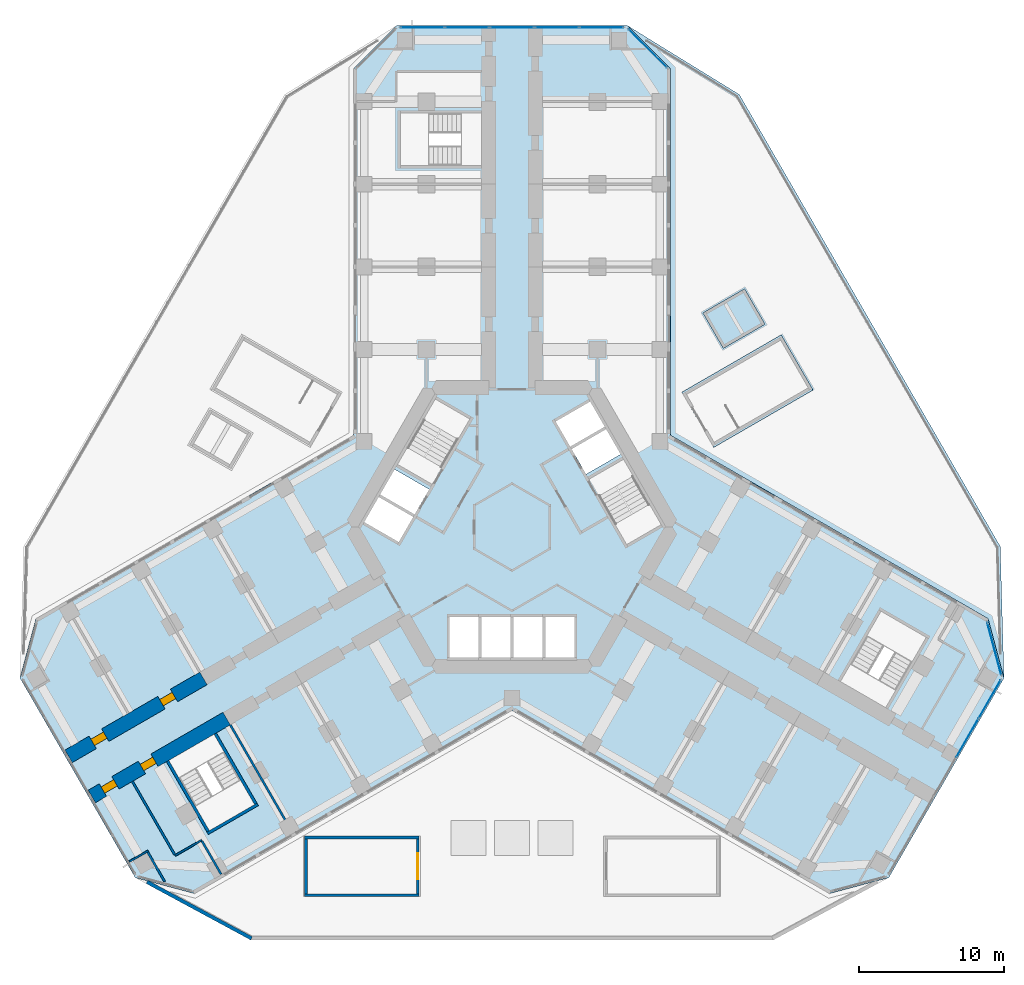
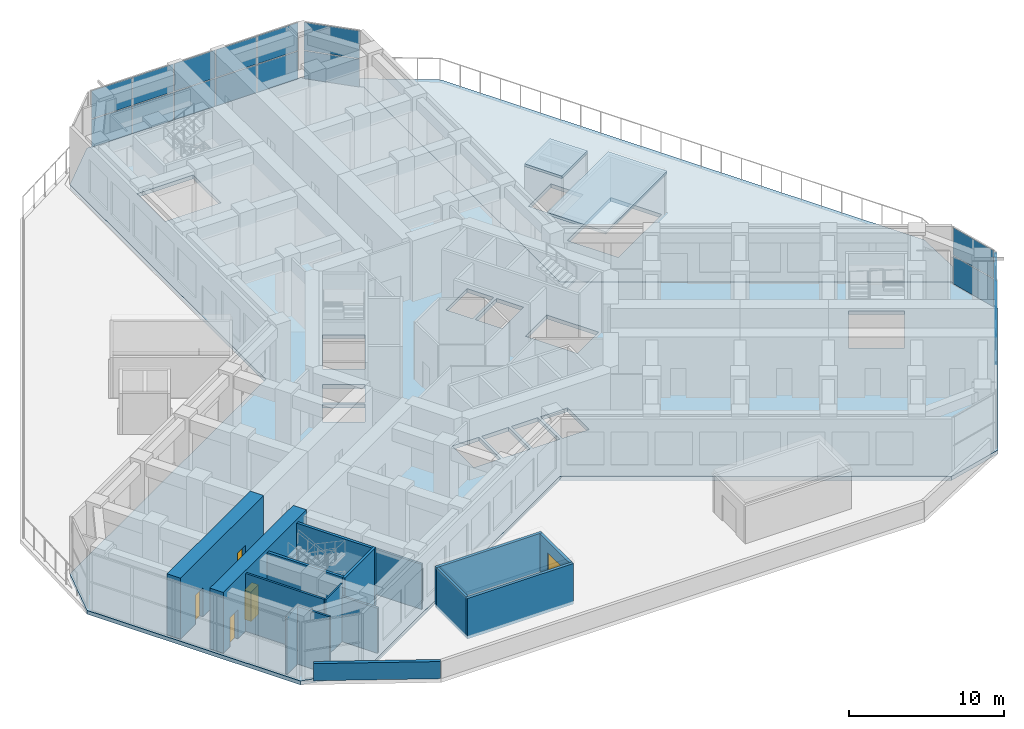
# One storey, part 9 of 18: 18 plates, 16 walls, 5 doors, 4 slabs, 5 openings, 4 elements without a shape of their own.
"""IFC4 building model written with IfcOpenShell, lengths in metres."""

from ifc_helpers import new_model, si_unit, direction, frame, frame_2d, origin, origin_2d, place, context, subcontext, project, spatial, polyline, rectangle, outline, extrude, material, layer, layer_set, type_object, element, fill, aggregate, save


model = new_model("IFC4")

# Units and contexts
model_context = context("Model", 3, precision=1e-05, world=origin(), true_north=direction((0.0, 1.0)))
body_context = subcontext(model_context, "Body", "Model", "MODEL_VIEW")
ifc_project = project(units=[si_unit("LENGTHUNIT", "METRE"), si_unit("AREAUNIT", "SQUARE_METRE"), si_unit("VOLUMEUNIT", "CUBIC_METRE"), si_unit("PLANEANGLEUNIT", "RADIAN"), si_unit("MASSUNIT", "GRAM", prefix="KILO")], contexts=[model_context])

# Site, building, storey
site_placement = place(None, origin())
site = spatial("IfcSite", under=ifc_project, at=site_placement, CompositionType="ELEMENT")
building_placement = place(site_placement, origin())
building = spatial("IfcBuilding", under=site, at=building_placement, Name="Kosmar Iwan School Tower", CompositionType="ELEMENT")
storey_placement = place(building_placement, frame((0.0, 0.0, 20.39990234375)))
storey = spatial("IfcBuildingStorey", under=building, at=storey_placement, Name="L04", CompositionType="ELEMENT", Elevation=20.39990234375)

# Curtain wall, plates
ifc_material_1 = material(Name="Dark glass in black aluminium frame", Category="aluminium")
curtain_wall_type_1 = type_object("IfcCurtainWallType", Name="Tower curtain wall dark glass", PredefinedType="USERDEFINED", material=ifc_material_1)
curtain_wall_1_placement = place(storey_placement, origin())
curtain_wall_1 = element("IfcCurtainWall", 1, at=curtain_wall_1_placement, inside=storey, type_object=curtain_wall_type_1, Name="Curtain wall L04-F03", ObjectType="UNITISED CURTAIN WALL", PredefinedType="USERDEFINED")
ifc_material_2 = material(Name="Dark glass", Category="glass")
ifc_layer_1 = layer(ifc_material_2, 0.028076171875)
ifc_layer_set_1 = layer_set([ifc_layer_1], Name="Dark glass panel 28")
plate_type = type_object("IfcPlateType", Name="Dark glass panel 28", PredefinedType="CURTAIN_PANEL", material=ifc_layer_set_1)
plate_1_placement = place(storey_placement, frame((31.40576171875, -14.553466796875, 0.06005859375), z_axis=(0.0, 0.0, 1.0), x_axis=(0.499999997325, 0.866025405329, 0.0)))
plate_1 = element("IfcPlate", 2, at=plate_1_placement, type_object=plate_type, Name="CW1 panel 4.1", PredefinedType="CURTAIN_PANEL", context=body_context, shape_type="SweptSolid", body=[
    extrude(rectangle(XDim=3.0341796875, YDim=0.028076171875, at=origin_2d()), origin(), (0.0, 0.0, 1.0), 2.18505859375),
])
plate_2_placement = place(storey_placement, frame((31.40576171875, -14.553466796875, 2.30517578125), z_axis=(0.0, 0.0, 1.0), x_axis=(0.499999997325, 0.866025405329, 0.0)))
plate_2 = element("IfcPlate", 3, at=plate_2_placement, type_object=plate_type, Name="CW1 panel 4.2", PredefinedType="CURTAIN_PANEL", context=body_context, shape_type="SweptSolid", body=[
    extrude(rectangle(XDim=3.0341796875, YDim=0.028076171875, at=origin_2d()), origin(), (0.0, 0.0, 1.0), 2.18505859375),
])
plate_3_placement = place(storey_placement, frame((32.947509765625, -11.883544921875, 0.06005859375), z_axis=(0.0, 0.0, 1.0), x_axis=(0.499999997325, 0.866025405329, 0.0)))
plate_3 = element("IfcPlate", 4, at=plate_3_placement, type_object=plate_type, Name="CW1 panel 5.1", PredefinedType="CURTAIN_PANEL", context=body_context, shape_type="SweptSolid", body=[
    extrude(rectangle(XDim=3.001708984375, YDim=0.028076171875, at=origin_2d()), origin(), (0.0, 0.0, 1.0), 2.18505859375),
])
plate_4_placement = place(storey_placement, frame((32.947509765625, -11.883544921875, 2.30517578125), z_axis=(0.0, 0.0, 1.0), x_axis=(0.499999997325, 0.866025405329, 0.0)))
plate_4 = element("IfcPlate", 5, at=plate_4_placement, type_object=plate_type, Name="CW1 panel 5.2", PredefinedType="CURTAIN_PANEL", context=body_context, shape_type="SweptSolid", body=[
    extrude(rectangle(XDim=3.001708984375, YDim=0.028076171875, at=origin_2d()), origin(), (0.0, 0.0, 1.0), 2.18505859375),
])
aggregate(curtain_wall_1, [plate_1, plate_2, plate_3, plate_4])

ifc_material_3 = material(Name="Dark glass in black aluminium frame", Category="aluminium")
curtain_wall_type_2 = type_object("IfcCurtainWallType", Name="Chamfer curtain wall dark glass", PredefinedType="USERDEFINED", material=ifc_material_3)
curtain_wall_2_placement = place(storey_placement, origin())
curtain_wall_2 = element("IfcCurtainWall", 6, at=curtain_wall_2_placement, inside=storey, type_object=curtain_wall_type_2, Name="Curtain wall L04-F04", ObjectType="FACETED CURTAIN WALL", PredefinedType="USERDEFINED")
plate_5_placement = place(storey_placement, frame((33.269775390625, -8.3984375, 0.06005859375), z_axis=(0.0, 0.0, 1.0), x_axis=(-0.258818861462, 0.965925875495, 0.0)))
plate_5 = element("IfcPlate", 7, at=plate_5_placement, type_object=plate_type, Name="CW2 panel 1.1", PredefinedType="CURTAIN_PANEL", context=body_context, shape_type="SweptSolid", body=[
    extrude(rectangle(XDim=3.708984375, YDim=0.028076171875, at=origin_2d()), origin(), (0.0, 0.0, 1.0), 2.18505859375),
])
plate_6_placement = place(storey_placement, frame((33.269775390625, -8.3984375, 2.30517578125), z_axis=(0.0, 0.0, 1.0), x_axis=(-0.258818861462, 0.965925875495, 0.0)))
plate_6 = element("IfcPlate", 8, at=plate_6_placement, type_object=plate_type, Name="CW2 panel 1.2", PredefinedType="CURTAIN_PANEL", context=body_context, shape_type="SweptSolid", body=[
    extrude(rectangle(XDim=3.708984375, YDim=0.028076171875, at=origin_2d()), origin(), (0.0, 0.0, 1.0), 2.18505859375),
])
aggregate(curtain_wall_2, [plate_5, plate_6])

curtain_wall_3_placement = place(storey_placement, origin())
curtain_wall_3 = element("IfcCurtainWall", 9, at=curtain_wall_3_placement, inside=storey, type_object=curtain_wall_type_2, Name="Curtain wall L04-F07", ObjectType="FACETED CURTAIN WALL", PredefinedType="USERDEFINED")
plate_7_placement = place(storey_placement, frame((9.361572265625, 33.01171875, 0.06005859375), z_axis=(0.0, 0.0, 1.0), x_axis=(-0.707106781187, 0.707106781187, 0.0)))
plate_7 = element("IfcPlate", 10, at=plate_7_placement, type_object=plate_type, Name="CW2 panel 1.1", PredefinedType="CURTAIN_PANEL", context=body_context, shape_type="SweptSolid", body=[
    extrude(rectangle(XDim=3.708984375, YDim=0.028076171875, at=origin_2d()), origin(), (0.0, 0.0, 1.0), 2.18505859375),
])
plate_8_placement = place(storey_placement, frame((9.361572265625, 33.01171875, 2.30517578125), z_axis=(0.0, 0.0, 1.0), x_axis=(-0.707106781187, 0.707106781187, 0.0)))
plate_8 = element("IfcPlate", 11, at=plate_8_placement, type_object=plate_type, Name="CW2 panel 1.2", PredefinedType="CURTAIN_PANEL", context=body_context, shape_type="SweptSolid", body=[
    extrude(rectangle(XDim=3.708984375, YDim=0.028076171875, at=origin_2d()), origin(), (0.0, 0.0, 1.0), 2.18505859375),
])
aggregate(curtain_wall_3, [plate_7, plate_8])

curtain_wall_4_placement = place(storey_placement, origin())
curtain_wall_4 = element("IfcCurtainWall", 12, at=curtain_wall_4_placement, inside=storey, type_object=curtain_wall_type_1, Name="Curtain wall L04-F08", ObjectType="UNITISED CURTAIN WALL", PredefinedType="USERDEFINED")
plate_9_placement = place(storey_placement, frame((6.182373046875, 34.47509765625, 0.06005859375), z_axis=(0.0, 0.0, 1.0), x_axis=(-1.0, 0.0, 0.0)))
plate_9 = element("IfcPlate", 13, at=plate_9_placement, type_object=plate_type, Name="CW1 panel 1.1", PredefinedType="CURTAIN_PANEL", context=body_context, shape_type="SweptSolid", body=[
    extrude(rectangle(XDim=3.001708984375, YDim=0.028076171875, at=origin_2d()), origin(), (0.0, 0.0, 1.0), 2.18505859375),
])
plate_10_placement = place(storey_placement, frame((6.182373046875, 34.47509765625, 2.30517578125), z_axis=(0.0, 0.0, 1.0), x_axis=(-1.0, 0.0, 0.0)))
plate_10 = element("IfcPlate", 14, at=plate_10_placement, type_object=plate_type, Name="CW1 panel 1.2", PredefinedType="CURTAIN_PANEL", context=body_context, shape_type="SweptSolid", body=[
    extrude(rectangle(XDim=3.001708984375, YDim=0.028076171875, at=origin_2d()), origin(), (0.0, 0.0, 1.0), 2.18505859375),
])
plate_11_placement = place(storey_placement, frame((3.099365234375, 34.47509765625, 0.06005859375), z_axis=(0.0, 0.0, 1.0), x_axis=(-1.0, 0.0, 0.0)))
plate_11 = element("IfcPlate", 15, at=plate_11_placement, type_object=plate_type, Name="CW1 panel 2.1", PredefinedType="CURTAIN_PANEL", context=body_context, shape_type="SweptSolid", body=[
    extrude(rectangle(XDim=3.0341796875, YDim=0.028076171875, at=origin_2d()), origin(), (0.0, 0.0, 1.0), 2.18505859375),
])
plate_12_placement = place(storey_placement, frame((3.099365234375, 34.47509765625, 2.30517578125), z_axis=(0.0, 0.0, 1.0), x_axis=(-1.0, 0.0, 0.0)))
plate_12 = element("IfcPlate", 16, at=plate_12_placement, type_object=plate_type, Name="CW1 panel 2.2", PredefinedType="CURTAIN_PANEL", context=body_context, shape_type="SweptSolid", body=[
    extrude(rectangle(XDim=3.0341796875, YDim=0.028076171875, at=origin_2d()), origin(), (0.0, 0.0, 1.0), 2.18505859375),
])
plate_13_placement = place(storey_placement, frame((0.0, 34.47509765625, 0.06005859375), z_axis=(0.0, 0.0, 1.0), x_axis=(-1.0, 0.0, 0.0)))
plate_13 = element("IfcPlate", 17, at=plate_13_placement, type_object=plate_type, Name="CW1 panel 3.1", PredefinedType="CURTAIN_PANEL", context=body_context, shape_type="SweptSolid", body=[
    extrude(rectangle(XDim=3.0341796875, YDim=0.028076171875, at=origin_2d()), origin(), (0.0, 0.0, 1.0), 2.18505859375),
])
plate_14_placement = place(storey_placement, frame((0.0, 34.47509765625, 2.30517578125), z_axis=(0.0, 0.0, 1.0), x_axis=(-1.0, 0.0, 0.0)))
plate_14 = element("IfcPlate", 18, at=plate_14_placement, type_object=plate_type, Name="CW1 panel 3.2", PredefinedType="CURTAIN_PANEL", context=body_context, shape_type="SweptSolid", body=[
    extrude(rectangle(XDim=3.0341796875, YDim=0.028076171875, at=origin_2d()), origin(), (0.0, 0.0, 1.0), 2.18505859375),
])
plate_15_placement = place(storey_placement, frame((-3.099365234375, 34.47509765625, 0.06005859375), z_axis=(0.0, 0.0, 1.0), x_axis=(-1.0, 0.0, 0.0)))
plate_15 = element("IfcPlate", 19, at=plate_15_placement, type_object=plate_type, Name="CW1 panel 4.1", PredefinedType="CURTAIN_PANEL", context=body_context, shape_type="SweptSolid", body=[
    extrude(rectangle(XDim=3.0341796875, YDim=0.028076171875, at=origin_2d()), origin(), (0.0, 0.0, 1.0), 2.18505859375),
])
plate_16_placement = place(storey_placement, frame((-3.099365234375, 34.47509765625, 2.30517578125), z_axis=(0.0, 0.0, 1.0), x_axis=(-1.0, 0.0, 0.0)))
plate_16 = element("IfcPlate", 20, at=plate_16_placement, type_object=plate_type, Name="CW1 panel 4.2", PredefinedType="CURTAIN_PANEL", context=body_context, shape_type="SweptSolid", body=[
    extrude(rectangle(XDim=3.0341796875, YDim=0.028076171875, at=origin_2d()), origin(), (0.0, 0.0, 1.0), 2.18505859375),
])
plate_17_placement = place(storey_placement, frame((-6.182373046875, 34.47509765625, 0.06005859375), z_axis=(0.0, 0.0, 1.0), x_axis=(-1.0, 0.0, 0.0)))
plate_17 = element("IfcPlate", 21, at=plate_17_placement, type_object=plate_type, Name="CW1 panel 5.1", PredefinedType="CURTAIN_PANEL", context=body_context, shape_type="SweptSolid", body=[
    extrude(rectangle(XDim=3.001708984375, YDim=0.028076171875, at=origin_2d()), origin(), (0.0, 0.0, 1.0), 2.18505859375),
])
plate_18_placement = place(storey_placement, frame((-6.182373046875, 34.47509765625, 2.30517578125), z_axis=(0.0, 0.0, 1.0), x_axis=(-1.0, 0.0, 0.0)))
plate_18 = element("IfcPlate", 22, at=plate_18_placement, type_object=plate_type, Name="CW1 panel 5.2", PredefinedType="CURTAIN_PANEL", context=body_context, shape_type="SweptSolid", body=[
    extrude(rectangle(XDim=3.001708984375, YDim=0.028076171875, at=origin_2d()), origin(), (0.0, 0.0, 1.0), 2.18505859375),
])
aggregate(curtain_wall_4, [plate_9, plate_10, plate_11, plate_12, plate_13, plate_14, plate_15, plate_16, plate_17, plate_18])

# Slabs
ifc_material_4 = material(Name="Concrete C35/45", Category="concrete")
ifc_layer_2 = layer(ifc_material_4, 0.199951171875)
ifc_layer_set_2 = layer_set([ifc_layer_2], Name="Lift shaft cap slab 200")
slab_type_1 = type_object("IfcSlabType", Name="Lift shaft cap slab 200", PredefinedType="ROOF", material=ifc_layer_set_2)
slab_1_placement = place(storey_placement, frame((0.0, 0.0, 3.2001953125)))
element("IfcSlab", 23, at=slab_1_placement, inside=storey, type_object=slab_type_1, Name="School stair SS3 roof", PredefinedType="ROOF", context=body_context, shape_type="SweptSolid", body=[
    extrude(outline(polyline([(13.917236328125, 5.49462890625), (20.7587890625, 9.44482421875), (18.558837890625, 13.25537109375), (11.71728515625, 9.30517578125), (13.917236328125, 5.49462890625)])), origin(), (0.0, 0.0, 1.0), 0.199951171875),
])
slab_2_placement = place(storey_placement, frame((0.0, 0.0, 3.2001953125)))
element("IfcSlab", 24, at=slab_2_placement, inside=storey, type_object=slab_type_1, Name="School lift SL1 shaft roof", PredefinedType="ROOF", context=body_context, shape_type="SweptSolid", body=[
    extrude(outline(polyline([(14.581298828125, 12.344482421875), (17.439208984375, 13.994384765625), (16.0390625, 16.41943359375), (13.181396484375, 14.769287109375), (14.581298828125, 12.344482421875)])), origin(), (0.0, 0.0, 1.0), 0.199951171875),
])
ifc_material_5 = material(Name="Concrete C35/45", Category="concrete")
ifc_layer_3 = layer(ifc_material_5, 0.300048828125)
ifc_layer_set_3 = layer_set([ifc_layer_3], Name="Play deck slab 300")
slab_type_2 = type_object("IfcSlabType", Name="Play deck slab 300", PredefinedType="FLOOR", material=ifc_layer_set_3)
slab_3_placement = place(storey_placement, frame((0.0, 0.0, -0.2998046875)))
element("IfcSlab", 25, at=slab_3_placement, inside=storey, type_object=slab_type_2, Name="Play deck AC", PredefinedType="FLOOR", context=body_context, shape_type="SweptSolid", body=[
    extrude(outline(polyline([(33.939453125, -10.4150390625), (33.681640625, -1.33837890625), (15.681640625, 29.83837890625), (7.949951171875, 34.60009765625), (10.949951171875, 31.60009765625), (10.949951171875, 6.322021484375), (32.84130859375, -6.317138671875), (33.939453125, -10.4150390625)]), holes=[polyline([(15.603271484375, 6.814453125), (20.435546875, 9.6044921875), (18.53564453125, 12.8955078125), (13.703125, 10.10546875), (15.603271484375, 6.814453125)]), polyline([(14.654541015625, 12.61767578125), (17.166015625, 14.067626953125), (15.966064453125, 16.146240234375), (13.45458984375, 14.696044921875), (14.654541015625, 12.61767578125)])]), origin(), (0.0, 0.0, 1.0), 0.2998046875),
])
ifc_material_6 = material(Name="Concrete C35/45", Category="concrete")
ifc_layer_4 = layer(ifc_material_6, 0.300048828125)
ifc_layer_set_4 = layer_set([ifc_layer_4], Name="School floor slab 300")
slab_type_3 = type_object("IfcSlabType", Name="School floor slab 300", PredefinedType="FLOOR", material=ifc_layer_set_4)
slab_4_placement = place(storey_placement, frame((0.0, 0.0, -0.2998046875)))
element("IfcSlab", 26, at=slab_4_placement, inside=storey, type_object=slab_type_3, Name="L04 floor slab", PredefinedType="FLOOR", context=body_context, shape_type="SweptSolid", body=[
    extrude(outline(polyline([(-21.891357421875, -25.282958984375), (0.0, -12.64404296875), (21.891357421875, -25.282958984375), (25.989501953125, -24.184814453125), (33.939453125, -10.4150390625), (32.84130859375, -6.317138671875), (10.949951171875, 6.322021484375), (10.949951171875, 31.60009765625), (7.949951171875, 34.60009765625), (-7.949951171875, 34.60009765625), (-10.949951171875, 31.60009765625), (-10.949951171875, 6.322021484375), (-32.84130859375, -6.317138671875), (-33.939453125, -10.4150390625), (-25.989501953125, -24.184814453125), (-21.891357421875, -25.282958984375)]), holes=[polyline([(7.91259765625, -1.205078125), (10.294189453125, 0.169921875), (8.3642578125, 3.5126953125), (5.982666015625, 2.1376953125), (7.91259765625, -1.205078125)]), polyline([(-2.91259765625, 7.455078125), (-5.294189453125, 8.830078125), (-7.22412109375, 5.4873046875), (-4.8427734375, 4.1123046875), (-2.91259765625, 7.455078125)]), polyline([(-5.712646484375, 2.60546875), (-8.09423828125, 3.98046875), (-9.09423828125, 2.248291015625), (-6.712646484375, 0.873291015625), (-5.712646484375, 2.60546875)]), polyline([(-6.812744140625, 0.7001953125), (-9.1943359375, 2.0751953125), (-10.1943359375, 0.343017578125), (-7.812744140625, -1.031982421875), (-6.812744140625, 0.7001953125)]), polyline([(5.112548828125, 3.64453125), (7.494140625, 5.01953125), (6.494140625, 6.751708984375), (4.112548828125, 5.376708984375), (5.112548828125, 3.64453125)]), polyline([(4.0126953125, 5.5498046875), (6.394287109375, 6.9248046875), (5.394287109375, 8.656982421875), (3.0126953125, 7.281982421875), (4.0126953125, 5.5498046875)]), polyline([(-4.300048828125, -6.199951171875), (-4.300048828125, -9.0), (-2.300048828125, -9.0), (-2.300048828125, -6.199951171875), (-4.300048828125, -6.199951171875)]), polyline([(-2.10009765625, -6.199951171875), (-2.10009765625, -9.0), (-0.10009765625, -9.0), (-0.10009765625, -6.199951171875), (-2.10009765625, -6.199951171875)]), polyline([(0.10009765625, -6.199951171875), (0.10009765625, -9.0), (2.10009765625, -9.0), (2.10009765625, -6.199951171875), (0.10009765625, -6.199951171875)]), polyline([(2.300048828125, -6.199951171875), (2.300048828125, -9.0), (4.300048828125, -9.0), (4.300048828125, -6.199951171875), (2.300048828125, -6.199951171875)]), polyline([(-3.52001953125, 24.949951171875), (-3.52001953125, 28.550048828125), (-7.699951171875, 28.550048828125), (-7.699951171875, 24.949951171875), (-3.52001953125, 24.949951171875)]), polyline([(-19.847412109375, -15.5234375), (-22.965087890625, -17.323486328125), (-20.875, -20.943359375), (-17.75732421875, -19.143310546875), (-19.847412109375, -15.5234375)]), polyline([(23.367431640625, -9.426513671875), (26.485107421875, -11.2265625), (28.574951171875, -7.606689453125), (25.457275390625, -5.806640625), (23.367431640625, -9.426513671875)])]), origin(), (0.0, 0.0, 1.0), 0.2998046875),
])

# Wall, openings, doors
ifc_material_7 = material(Name="Concrete C50/60", Category="concrete")
ifc_layer_5 = layer(ifc_material_7, 1.0)
ifc_layer_set_5 = layer_set([ifc_layer_5], Name="Corridor buttress wall 1000")
wall_type_1 = type_object("IfcWallType", Name="Corridor buttress wall 1000", PredefinedType="SHEAR", material=ifc_layer_set_5)
wall_1_placement = place(storey_placement, frame((-19.681396484375, -13.210693359375, 0.0), z_axis=(0.0, 0.0, 1.0), x_axis=(-0.866028186671, -0.499995179869, 0.0)))
wall_1 = element("IfcWall", 27, at=wall_1_placement, inside=storey, type_object=wall_type_1, Name="Corridor wall BL bay 3", PredefinedType="SHEAR", context=body_context, shape_type="SweptSolid", body=[
    extrude(rectangle(XDim=10.7451171875, YDim=1.0, at=frame_2d((5.37255859375, 0.0))), origin(), (0.0, 0.0, 1.0), 4.800048828125),
])
opening_1_placement = place(wall_1_placement, frame((5.75, 0.0, 0.0)))
opening_1 = element("IfcOpeningElement", 28, at=opening_1_placement, cuts=wall_1, Name="Opening D4", PredefinedType="OPENING", context=body_context, shape_type="SweptSolid", body=[
    extrude(rectangle(XDim=1.0, YDim=2.300048828125, at=frame_2d((0.5, 1.14990234375))), frame((0.0, 0.511962890625, 0.0), z_axis=(0.0, -1.0, 0.0), x_axis=(1.0, 0.0, 0.0)), (0.0, 0.0, 1.0), 1.02392578125),
])
opening_2_placement = place(wall_1_placement, frame((8.860107421875, 0.0, 0.0)))
opening_2 = element("IfcOpeningElement", 29, at=opening_2_placement, cuts=wall_1, Name="Opening D4", PredefinedType="OPENING", context=body_context, shape_type="SweptSolid", body=[
    extrude(rectangle(XDim=1.0, YDim=2.300048828125, at=frame_2d((0.5, 1.14990234375))), frame((0.0, 0.511962890625, 0.0), z_axis=(0.0, -1.0, 0.0), x_axis=(1.0, 0.0, 0.0)), (0.0, 0.0, 1.0), 1.02392578125),
])
ifc_material_8 = material(Name="Timber fire door with vision panel", Category="wood")
door_type_1 = type_object("IfcDoorType", Name="Classroom door 1000x2300", OperationType="SINGLE_SWING_LEFT", PredefinedType="DOOR", material=ifc_material_8)
door_1_placement = place(opening_1_placement, origin())
door_1 = element("IfcDoor", 30, at=door_1_placement, inside=storey, type_object=door_type_1, Name="Language room BL door L04-BL3", OperationType="SINGLE_SWING_LEFT", OverallHeight=2.300048828125, OverallWidth=1.0, PredefinedType="DOOR", context=body_context, shape_type="SweptSolid", body=[
    extrude(rectangle(XDim=1.0, YDim=2.300048828125, at=frame_2d((0.5, 1.14990234375))), frame((0.0, 0.25, 0.0), z_axis=(0.0, -1.0, 0.0), x_axis=(1.0, 0.0, 0.0)), (0.0, 0.0, 1.0), 0.5),
])
fill(opening_1, door_1)
door_2_placement = place(opening_2_placement, origin())
door_2 = element("IfcDoor", 31, at=door_2_placement, inside=storey, type_object=door_type_1, Name="Toilets door L04-BL4", OperationType="SINGLE_SWING_RIGHT", OverallHeight=2.300048828125, OverallWidth=1.0, PredefinedType="DOOR", context=body_context, shape_type="SweptSolid", body=[
    extrude(rectangle(XDim=1.0, YDim=2.300048828125, at=frame_2d((0.5, 1.14990234375))), frame((0.0, 0.25, 0.0), z_axis=(0.0, -1.0, 0.0), x_axis=(1.0, 0.0, 0.0)), (0.0, 0.0, 1.0), 0.5),
])
fill(opening_2, door_2)

wall_2_placement = place(storey_placement, frame((-21.281494140625, -10.439453125, 0.0), z_axis=(0.0, 0.0, 1.0), x_axis=(-0.866032345022, -0.499987977232, 0.0)))
wall_2 = element("IfcWall", 32, at=wall_2_placement, inside=storey, type_object=wall_type_1, Name="Corridor wall BR bay 3", PredefinedType="SHEAR", context=body_context, shape_type="SweptSolid", body=[
    extrude(rectangle(XDim=10.744873046875, YDim=1.0, at=frame_2d((5.37255859375, 0.0))), origin(), (0.0, 0.0, 1.0), 4.800048828125),
])
opening_3_placement = place(wall_2_placement, frame((2.35009765625, 0.0, 0.0)))
opening_3 = element("IfcOpeningElement", 33, at=opening_3_placement, cuts=wall_2, Name="Opening D4", PredefinedType="OPENING", context=body_context, shape_type="SweptSolid", body=[
    extrude(rectangle(XDim=1.0, YDim=2.300048828125, at=frame_2d((0.5, 1.14990234375))), frame((0.0, 0.511962890625, 0.0), z_axis=(0.0, -1.0, 0.0), x_axis=(1.0, 0.0, 0.0)), (0.0, 0.0, 1.0), 1.02392578125),
])
opening_4_placement = place(wall_2_placement, frame((7.824951171875, 0.0, 0.0)))
opening_4 = element("IfcOpeningElement", 34, at=opening_4_placement, cuts=wall_2, Name="Opening D4", PredefinedType="OPENING", context=body_context, shape_type="SweptSolid", body=[
    extrude(rectangle(XDim=1.0, YDim=2.300048828125, at=frame_2d((0.5, 1.14990234375))), frame((0.0, 0.511962890625, 0.0), z_axis=(0.0, -1.0, 0.0), x_axis=(1.0, 0.0, 0.0)), (0.0, 0.0, 1.0), 1.02392578125),
])
door_3_placement = place(opening_3_placement, origin())
door_3 = element("IfcDoor", 35, at=door_3_placement, inside=storey, type_object=door_type_1, Name="Language room BR door L04-BR3", OperationType="SINGLE_SWING_LEFT", OverallHeight=2.300048828125, OverallWidth=1.0, PredefinedType="DOOR", context=body_context, shape_type="SweptSolid", body=[
    extrude(rectangle(XDim=1.0, YDim=2.300048828125, at=frame_2d((0.5, 1.14990234375))), frame((0.0, 0.25, 0.0), z_axis=(0.0, -1.0, 0.0), x_axis=(1.0, 0.0, 0.0)), (0.0, 0.0, 1.0), 0.5),
])
fill(opening_3, door_3)
door_4_placement = place(opening_4_placement, origin())
door_4 = element("IfcDoor", 36, at=door_4_placement, inside=storey, type_object=door_type_1, Name="Toilets door L04-BR4", OperationType="SINGLE_SWING_RIGHT", OverallHeight=2.300048828125, OverallWidth=1.0, PredefinedType="DOOR", context=body_context, shape_type="SweptSolid", body=[
    extrude(rectangle(XDim=1.0, YDim=2.300048828125, at=frame_2d((0.5, 1.14990234375))), frame((0.0, 0.25, 0.0), z_axis=(0.0, -1.0, 0.0), x_axis=(1.0, 0.0, 0.0)), (0.0, 0.0, 1.0), 0.5),
])
fill(opening_4, door_4)

# Walls
ifc_material_9 = material(Name="Gypsum board on steel studs", Category="steel")
ifc_layer_6 = layer(ifc_material_9, 0.1201171875)
ifc_layer_set_6 = layer_set([ifc_layer_6], Name="Dwelling partition 120")
wall_type_2 = type_object("IfcWallType", Name="Dwelling partition 120", PredefinedType="PARTITIONING", material=ifc_layer_set_6)
wall_3_placement = place(storey_placement, frame((-25.09716796875, -22.330322265625, 0.0), z_axis=(0.0, 0.0, 1.0), x_axis=(-0.866003374288, -0.500038154266, 0.0)))
element("IfcWall", 37, at=wall_3_placement, inside=storey, type_object=wall_type_2, Name="Partition L04-BL-DL", PredefinedType="PARTITIONING", context=body_context, shape_type="SweptSolid", body=[
    extrude(rectangle(XDim=1.4951171875, YDim=0.1201171875, at=frame_2d((0.74755859375, 0.0))), origin(), (0.0, 0.0, 1.0), 4.550048828125),
])
wall_4_placement = place(storey_placement, frame((-21.417724609375, -21.603271484375, 0.0), z_axis=(0.0, 0.0, 1.0), x_axis=(-0.866038466041, -0.499977374825, 0.0)))
element("IfcWall", 38, at=wall_4_placement, inside=storey, type_object=wall_type_2, Name="Partition L04-BL-X3L", PredefinedType="PARTITIONING", context=body_context, shape_type="SweptSolid", body=[
    extrude(rectangle(XDim=2.10009765625, YDim=0.1201171875, at=frame_2d((1.050048828125, 0.0))), origin(), (0.0, 0.0, 1.0), 4.550048828125),
])
ifc_material_10 = material(Name="Concrete C35/45", Category="concrete")
ifc_layer_7 = layer(ifc_material_10, 0.199951171875)
ifc_layer_set_7 = layer_set([ifc_layer_7], Name="Escape stair wall 200")
wall_type_3 = type_object("IfcWallType", Name="Escape stair wall 200", PredefinedType="SHEAR", material=ifc_layer_set_7)
for number, where, z_axis, x_axis, name in (
    (39, (-20.470703125, -14.24365234375, 0.0), (0.0, 0.0, 1.0), (0.499987231761, -0.866032775405, 0.0), "Stair WS2 wall"),
    (40, (-23.76171875, -16.1435546875, 0.0), (0.0, 0.0, 1.0), (0.500018801468, -0.86601454848, 0.0), "Stair WS2 wall"),
):
    element("IfcWall", number, at=place(storey_placement, frame(where, z_axis=z_axis, x_axis=x_axis)), inside=storey, type_object=wall_type_3, Name=name, PredefinedType="SHEAR", context=body_context, shape_type="SweptSolid", body=[
        extrude(rectangle(XDim=5.800048828125, YDim=0.199951171875, at=frame_2d((2.89990234375, 0.0))), origin(), (0.0, 0.0, 1.0), 4.530029296875),
    ])
wall_5_placement = place(storey_placement, frame((-17.5341796875, -19.1298828125, 0.0), z_axis=(0.0, 0.0, 1.0), x_axis=(-0.866026010844, -0.49999894854, 0.0)))
element("IfcWall", 41, at=wall_5_placement, inside=storey, type_object=wall_type_3, Name="Stair WS2 wall", PredefinedType="SHEAR", context=body_context, shape_type="SweptSolid", body=[
    extrude(rectangle(XDim=4.0, YDim=0.199951171875, at=frame_2d((2.0, 0.0))), origin(), (0.0, 0.0, 1.0), 4.530029296875),
])
ifc_material_11 = material(Name="Concrete C35/45", Category="concrete")
ifc_layer_8 = layer(ifc_material_11, 0.25)
ifc_layer_set_8 = layer_set([ifc_layer_8], Name="Parapet wall 250")
wall_type_4 = type_object("IfcWallType", Name="Parapet wall 250", PredefinedType="PARAPET", material=ifc_layer_set_8)
wall_6_placement = place(storey_placement, frame((-17.968505859375, -28.375, 0.0), z_axis=(0.0, 0.0, 1.0), x_axis=(-0.879866517838, 0.475220907355, 0.0)))
element("IfcWall", 42, at=wall_6_placement, inside=storey, type_object=wall_type_4, Name="Atrium roof parapet", PredefinedType="PARAPET", context=body_context, shape_type="SweptSolid", body=[
    extrude(rectangle(XDim=8.191650390625, YDim=0.25, at=frame_2d((4.095703125, 0.0))), origin(), (0.0, 0.0, 1.0), 1.35009765625),
])
ifc_material_12 = material(Name="Gypsum board on steel studs", Category="steel")
ifc_layer_9 = layer(ifc_material_12, 0.14990234375)
ifc_layer_set_9 = layer_set([ifc_layer_9], Name="School partition 150")
wall_type_5 = type_object("IfcWallType", Name="School partition 150", PredefinedType="PARTITIONING", material=ifc_layer_set_9)
wall_7_placement = place(storey_placement, frame((-25.192138671875, -22.31591796875, 0.0), z_axis=(0.0, 0.0, 1.0), x_axis=(0.50000366821, -0.866023285932, 0.0)))
element("IfcWall", 43, at=wall_7_placement, inside=storey, type_object=wall_type_5, Name="Partition L04-BL-DC", PredefinedType="PARTITIONING", context=body_context, shape_type="SweptSolid", body=[
    extrude(rectangle(XDim=2.47998046875, YDim=0.14990234375, at=frame_2d((1.239990234375, 0.0))), origin(), (0.0, 0.0, 1.0), 4.550048828125),
])
wall_8_placement = place(storey_placement, frame((-19.431396484375, -13.6435546875, 0.0), z_axis=(0.0, 0.0, 1.0), x_axis=(0.499973925258, -0.86604045752, 0.0)))
element("IfcWall", 44, at=wall_8_placement, inside=storey, type_object=wall_type_5, Name="Partition L04-BL-X2", PredefinedType="PARTITIONING", context=body_context, shape_type="SweptSolid", body=[
    extrude(rectangle(XDim=8.60009765625, YDim=0.14990234375, at=frame_2d((4.300048828125, 0.0))), origin(), (0.0, 0.0, 1.0), 3.550048828125),
])
wall_9_placement = place(storey_placement, frame((-21.387939453125, -21.6552734375, 0.0), z_axis=(0.0, 0.0, 1.0), x_axis=(0.500048002682, -0.865997687649, 0.0)))
element("IfcWall", 45, at=wall_9_placement, inside=storey, type_object=wall_type_5, Name="Partition L04-BL-X3", PredefinedType="PARTITIONING", context=body_context, shape_type="SweptSolid", body=[
    extrude(rectangle(XDim=2.639892578125, YDim=0.14990234375, at=frame_2d((1.31982421875, 0.0))), origin(), (0.0, 0.0, 1.0), 3.550048828125),
])
wall_10_placement = place(storey_placement, frame((-26.1865234375, -17.543701171875, 0.0), z_axis=(0.0, 0.0, 1.0), x_axis=(0.49998782916, -0.866032430508, 0.0)))
element("IfcWall", 46, at=wall_10_placement, inside=storey, type_object=wall_type_5, Name="Partition L04-BL-X3T", PredefinedType="PARTITIONING", context=body_context, shape_type="SweptSolid", body=[
    extrude(rectangle(XDim=5.840087890625, YDim=0.14990234375, at=frame_2d((2.919921875, 0.0))), origin(), (0.0, 0.0, 1.0), 4.550048828125),
])
ifc_material_13 = material(Name="Concrete C50/60", Category="concrete")
ifc_layer_10 = layer(ifc_material_13, 0.199951171875)
ifc_layer_set_10 = layer_set([ifc_layer_10], Name="Stair enclosure wall 200")
wall_type_6 = type_object("IfcWallType", Name="Stair enclosure wall 200", PredefinedType="SHEAR", material=ifc_layer_set_10)
for number, where, z_axis, x_axis, name in (
    (47, (-14.300048828125, -21.39990234375, 0.0), (0.0, 0.0, 1.0), (1.0, 0.0, 0.0), "School stair SS1 wall"),
    (48, (-14.300048828125, -25.39990234375, 0.0), (0.0, 0.0, 1.0), (1.0, 0.0, 0.0), "School stair SS1 wall"),
):
    element("IfcWall", number, at=place(storey_placement, frame(where, z_axis=z_axis, x_axis=x_axis)), inside=storey, type_object=wall_type_6, Name=name, PredefinedType="SHEAR", context=body_context, shape_type="SweptSolid", body=[
        extrude(rectangle(XDim=7.900146484375, YDim=0.199951171875, at=frame_2d((3.9501953125, 0.0))), origin(), (0.0, 0.0, 1.0), 3.2001953125),
    ])
wall_11_placement = place(storey_placement, frame((-14.199951171875, -21.5, 0.0), z_axis=(0.0, 0.0, 1.0), x_axis=(0.0, -1.0, 0.0)))
element("IfcWall", 49, at=wall_11_placement, inside=storey, type_object=wall_type_6, Name="School stair SS1 wall", PredefinedType="SHEAR", context=body_context, shape_type="SweptSolid", body=[
    extrude(rectangle(XDim=3.800048828125, YDim=0.199951171875, at=frame_2d((1.89990234375, 0.0))), origin(), (0.0, 0.0, 1.0), 3.2001953125),
])

# Wall, opening, door
wall_12_placement = place(storey_placement, frame((-6.5, -21.5, 0.0), z_axis=(0.0, 0.0, 1.0), x_axis=(0.0, -1.0, 0.0)))
wall_12 = element("IfcWall", 50, at=wall_12_placement, inside=storey, type_object=wall_type_6, Name="School stair SS1 wall", PredefinedType="SHEAR", context=body_context, shape_type="SweptSolid", body=[
    extrude(rectangle(XDim=3.800048828125, YDim=0.199951171875, at=frame_2d((1.89990234375, 0.0))), origin(), (0.0, 0.0, 1.0), 3.2001953125),
])
opening_5_placement = place(wall_12_placement, frame((1.0, 0.0, 0.0)))
opening_5 = element("IfcOpeningElement", 51, at=opening_5_placement, cuts=wall_12, Name="Opening D8", PredefinedType="OPENING", context=body_context, shape_type="SweptSolid", body=[
    extrude(rectangle(XDim=1.800048828125, YDim=2.300048828125, at=frame_2d((0.89990234375, 1.14990234375))), frame((0.0, 0.112060546875, 0.0), z_axis=(0.0, -1.0, 0.0), x_axis=(1.0, 0.0, 0.0)), (0.0, 0.0, 1.0), 0.223876953125),
])
ifc_material_14 = material(Name="Steel fire door", Category="steel")
door_type_2 = type_object("IfcDoorType", Name="School stair door pair 1800x2300", OperationType="DOUBLE_DOOR_SINGLE_SWING", PredefinedType="DOOR", material=ifc_material_14)
door_5_placement = place(opening_5_placement, origin())
door_5 = element("IfcDoor", 52, at=door_5_placement, inside=storey, type_object=door_type_2, Name="School stair SS1 door L04", OperationType="DOUBLE_DOOR_SINGLE_SWING", OverallHeight=2.300048828125, OverallWidth=1.800048828125, PredefinedType="DOOR", context=body_context, shape_type="SweptSolid", body=[
    extrude(rectangle(XDim=1.800048828125, YDim=2.300048828125, at=frame_2d((0.89990234375, 1.14990234375))), frame((0.0, 0.02490234375, 0.0), z_axis=(0.0, -1.0, 0.0), x_axis=(1.0, 0.0, 0.0)), (0.0, 0.0, 1.0), 0.050048828125),
])
fill(opening_5, door_5)

save(model, "model.ifc")
